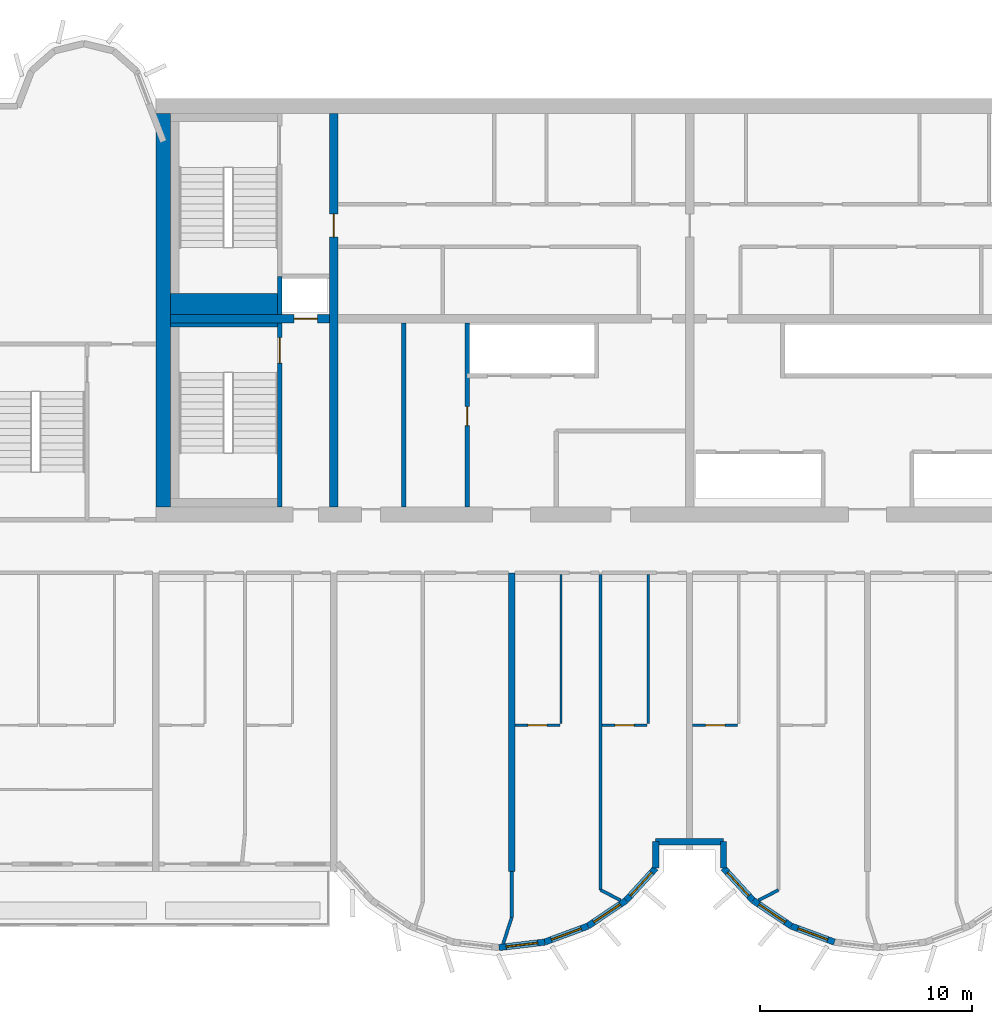
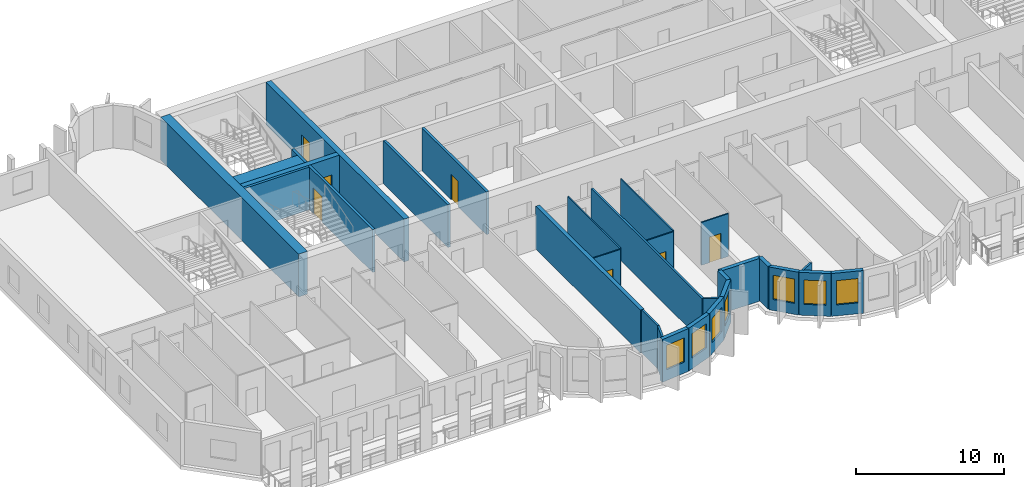
# One storey, part 4 of 13: 30 walls, 7 doors, 7 windows, 14 openings.
"""IFC4 building model written with IfcOpenShell, lengths in metres."""

from ifc_helpers import new_model, si_unit, direction, frame, frame_2d, origin, place, context, subcontext, project, spatial, rectangle, extrude, source, transform, mapped, material, layer, layer_set, type_object, element, fill, save


model = new_model("IFC4")

# Units and contexts
model_context = context("Model", 3, precision=1e-05, world=origin(), true_north=direction((0.0, 1.0)))
body_context = subcontext(model_context, "Body", "Model", "MODEL_VIEW")
ifc_project = project(units=[si_unit("LENGTHUNIT", "METRE"), si_unit("AREAUNIT", "SQUARE_METRE"), si_unit("VOLUMEUNIT", "CUBIC_METRE"), si_unit("PLANEANGLEUNIT", "RADIAN"), si_unit("MASSUNIT", "GRAM", prefix="KILO")], contexts=[model_context])

# Site, building, storey
site_placement = place(None, origin())
site = spatial("IfcSite", under=ifc_project, at=site_placement, CompositionType="ELEMENT")
building_placement = place(site_placement, origin())
building = spatial("IfcBuilding", under=site, at=building_placement, Name="Vanashikhar Sky Hotel", CompositionType="ELEMENT")
storey_placement = place(building_placement, frame((0.0, 0.0, 166.800048828125)))
storey = spatial("IfcBuildingStorey", under=building, at=storey_placement, Name="L40", CompositionType="ELEMENT", Elevation=166.800048828125)

# Wall, opening, door
ifc_material_1 = material(Name="Concrete M60", Category="concrete")
ifc_layer_1 = layer(ifc_material_1, 0.39990234375)
ifc_layer_set_1 = layer_set([ifc_layer_1], Name="RC core inner wall 400 Concrete M60")
wall_type_1 = type_object("IfcWallType", Name="RC core inner wall 400 Concrete M60", PredefinedType="SHEAR", material=ifc_layer_set_1)
shared_shape_1 = source(origin(), body_context, "Body", "SweptSolid", [
    extrude(rectangle(XDim=18.60009765625, YDim=0.39990234375, at=frame_2d((9.300048828125, 0.0))), origin(), (0.0, 0.0, 1.0), 3.52001953125),
])
wall_1_placement = place(storey_placement, frame((33.60009765625, 22.699951171875, 0.0), z_axis=(0.0, 0.0, 1.0), x_axis=(0.0, 1.0, 0.0)))
wall_1 = element("IfcWall", 1, at=wall_1_placement, inside=storey, type_object=wall_type_1, Name="KW-L40-KX1", PredefinedType="SHEAR", context=body_context, shape_type="MappedRepresentation", body=[
    mapped(shared_shape_1, transform((0.0, 0.0, 0.0), scale=1.0)),
])
shared_shape_2 = source(origin(), body_context, "Body", "SweptSolid", [
    extrude(rectangle(XDim=1.10009765625, YDim=2.10009765625, at=frame_2d((0.550048828125, 1.050048828125))), frame((0.0, 0.2099609375, 0.0), z_axis=(0.0, -1.0, 0.0), x_axis=(1.0, 0.0, 0.0)), (0.0, 0.0, 1.0), 0.419921875),
])
opening_1_placement = place(wall_1_placement, frame((12.75, 0.0, 0.0)))
opening_1 = element("IfcOpeningElement", 2, at=opening_1_placement, cuts=wall_1, Name="Opening DC-4-C", PredefinedType="OPENING", context=body_context, shape_type="MappedRepresentation", body=[
    mapped(shared_shape_2, transform((0.0, 0.0, 0.0), scale=1.0)),
])
ifc_material_2 = material(Name="Steel", Category="steel")
door_type_1 = type_object("IfcDoorType", Name="Service door 1100 FD60", OperationType="NOTDEFINED", PredefinedType="DOOR", material=ifc_material_2)
shared_shape_3 = source(origin(), body_context, "Body", "SweptSolid", [
    extrude(rectangle(XDim=1.10009765625, YDim=2.10009765625, at=frame_2d((0.550048828125, 1.050048828125))), frame((0.0, 0.02490234375, 0.0), z_axis=(0.0, -1.0, 0.0), x_axis=(1.0, 0.0, 0.0)), (0.0, 0.0, 1.0), 0.050048828125),
])
door_1_placement = place(opening_1_placement, origin())
door_1 = element("IfcDoor", 3, at=door_1_placement, inside=storey, type_object=door_type_1, Name="Service door 1100 FD60", OperationType="SINGLE_SWING_RIGHT", OverallHeight=2.10009765625, OverallWidth=1.10009765625, PredefinedType="DOOR", context=body_context, shape_type="MappedRepresentation", body=[
    mapped(shared_shape_3, transform((0.0, 0.0, 0.0), scale=1.0)),
])
fill(opening_1, door_1)

# Wall
ifc_layer_2 = layer(ifc_material_1, 0.699951171875)
ifc_layer_set_2 = layer_set([ifc_layer_2], Name="RC core shell wall 700 Concrete M60")
wall_type_2 = type_object("IfcWallType", Name="RC core shell wall 700 Concrete M60", PredefinedType="SHEAR", material=ifc_layer_set_2)
shared_shape_4 = source(origin(), body_context, "Body", "SweptSolid", [
    extrude(rectangle(XDim=18.60009765625, YDim=0.699951171875, at=frame_2d((9.300048828125, 0.0))), origin(), (0.0, 0.0, 1.0), 3.52001953125),
])
wall_2_placement = place(storey_placement, frame((25.550048828125, 22.699951171875, 0.0), z_axis=(0.0, 0.0, 1.0), x_axis=(0.0, 1.0, 0.0)))
element("IfcWall", 4, at=wall_2_placement, inside=storey, type_object=wall_type_2, Name="KW-L40-KW", PredefinedType="SHEAR", context=body_context, shape_type="MappedRepresentation", body=[
    mapped(shared_shape_4, transform((0.0, 0.0, 0.0), scale=1.0)),
])

# Wall, opening, door
shared_shape_5 = source(origin(), body_context, "Body", "SweptSolid", [
    extrude(rectangle(XDim=7.5, YDim=0.39990234375, at=frame_2d((3.75, 0.0))), origin(), (0.0, 0.0, 1.0), 3.52001953125),
])
wall_3_placement = place(storey_placement, frame((25.89990234375, 31.60009765625, 0.0), z_axis=(0.0, 0.0, 1.0), x_axis=(1.0, 0.0, 0.0)))
wall_3 = element("IfcWall", 5, at=wall_3_placement, inside=storey, type_object=wall_type_1, Name="KW-L40-KY1", PredefinedType="SHEAR", context=body_context, shape_type="MappedRepresentation", body=[
    mapped(shared_shape_5, transform((0.0, 0.0, 0.0), scale=1.0)),
])
opening_2_placement = place(wall_3_placement, frame((5.824951171875, 0.0, 0.0)))
opening_2 = element("IfcOpeningElement", 6, at=opening_2_placement, cuts=wall_3, Name="Opening LD", PredefinedType="OPENING", context=body_context, shape_type="MappedRepresentation", body=[
    mapped(shared_shape_2, transform((0.0, 0.0, 0.0), scale=1.0)),
])
ifc_material_3 = material(Name="Stainless steel", Category="steel")
door_type_2 = type_object("IfcDoorType", Name="Lift landing door 1100", OperationType="NOTDEFINED", PredefinedType="DOOR", material=ifc_material_3)
door_2_placement = place(opening_2_placement, origin())
door_2 = element("IfcDoor", 7, at=door_2_placement, inside=storey, type_object=door_type_2, Name="Lift landing door 1100", OperationType="SLIDING_TO_LEFT", OverallHeight=2.10009765625, OverallWidth=1.10009765625, PredefinedType="DOOR", context=body_context, shape_type="MappedRepresentation", body=[
    mapped(shared_shape_3, transform((0.0, 0.0, 0.0), scale=1.0)),
])
fill(opening_2, door_2)

# Wall
ifc_layer_3 = layer(ifc_material_1, 0.300048828125)
ifc_layer_set_3 = layer_set([ifc_layer_3], Name="RC shear wall 300 Concrete M60")
wall_type_3 = type_object("IfcWallType", Name="RC shear wall 300 Concrete M60", PredefinedType="SHEAR", material=ifc_layer_set_3)
shared_shape_6 = source(origin(), body_context, "Body", "SweptSolid", [
    extrude(rectangle(XDim=14.10009765625, YDim=0.300048828125, at=frame_2d((7.050048828125, 0.0))), origin(), (0.0, 0.0, 1.0), 3.52001953125),
])
wall_4_placement = place(storey_placement, frame((42.0, 5.5, 0.0), z_axis=(0.0, 0.0, 1.0), x_axis=(0.0, 1.0, 0.0)))
element("IfcWall", 8, at=wall_4_placement, inside=storey, type_object=wall_type_3, Name="CW-L40-XW06-1", PredefinedType="SHEAR", context=body_context, shape_type="MappedRepresentation", body=[
    mapped(shared_shape_6, transform((0.0, 0.0, 0.0), scale=1.0)),
])

# Wall, opening, window
ifc_material_4 = material(Name="Concrete M50", Category="concrete")
ifc_layer_4 = layer(ifc_material_4, 0.300048828125)
ifc_layer_set_4 = layer_set([ifc_layer_4], Name="Lobe wall 300")
wall_type_4 = type_object("IfcWallType", Name="Lobe wall 300", PredefinedType="SOLIDWALL", material=ifc_layer_set_4)
shared_shape_7 = source(origin(), body_context, "Body", "SweptSolid", [
    extrude(rectangle(XDim=2.17578125, YDim=0.300048828125, at=frame_2d((1.087890625, 0.0))), origin(), (0.0, 0.0, 1.0), 3.52001953125),
])
wall_5_placement = place(storey_placement, frame((45.59912109375, 2.91650390625, 0.0), z_axis=(0.0, 0.0, 1.0), x_axis=(0.829625727223, 0.558319937607, 0.0)))
wall_5 = element("IfcWall", 9, at=wall_5_placement, inside=storey, type_object=wall_type_4, Name="Lobe wall", PredefinedType="SOLIDWALL", context=body_context, shape_type="MappedRepresentation", body=[
    mapped(shared_shape_7, transform((0.0, 0.0, 0.0), scale=1.0)),
])
shared_shape_8 = source(origin(), body_context, "Body", "SweptSolid", [
    extrude(rectangle(XDim=1.5, YDim=2.0, at=frame_2d((0.75, 1.0))), frame((0.0, 0.16015625, 0.0), z_axis=(0.0, -1.0, 0.0), x_axis=(1.0, 0.0, 0.0)), (0.0, 0.0, 1.0), 0.320068359375),
])
opening_3_placement = place(wall_5_placement, frame((0.337890625, 0.0, 0.89990234375)))
opening_3 = element("IfcOpeningElement", 10, at=opening_3_placement, cuts=wall_5, Name="Opening WN-2", PredefinedType="OPENING", context=body_context, shape_type="MappedRepresentation", body=[
    mapped(shared_shape_8, transform((0.0, 0.0, 0.0), scale=1.0)),
])
ifc_material_5 = material(Name="Glass", Category="glass")
window_type = type_object("IfcWindowType", Name="Lobe window 1500 x 2000", PartitioningType="SINGLE_PANEL", PredefinedType="WINDOW", material=ifc_material_5)
shared_shape_9 = source(origin(), body_context, "Body", "SweptSolid", [
    extrude(rectangle(XDim=1.5, YDim=2.0, at=frame_2d((0.75, 1.0))), frame((0.0, 0.030029296875, 0.0), z_axis=(0.0, -1.0, 0.0), x_axis=(1.0, 0.0, 0.0)), (0.0, 0.0, 1.0), 0.06005859375),
])
window_1_placement = place(opening_3_placement, origin())
window_1 = element("IfcWindow", 11, at=window_1_placement, inside=storey, type_object=window_type, Name="Window WN-2", OverallHeight=2.0, OverallWidth=1.5, PartitioningType="SINGLE_PANEL", PredefinedType="WINDOW", context=body_context, shape_type="MappedRepresentation", body=[
    mapped(shared_shape_9, transform((0.0, 0.0, 0.0), scale=1.0)),
])
fill(opening_3, window_1)

wall_6_placement = place(storey_placement, frame((53.395751953125, 4.13134765625, 0.0), z_axis=(0.0, 0.0, 1.0), x_axis=(0.829590746428, -0.558371913192, 0.0)))
wall_6 = element("IfcWall", 12, at=wall_6_placement, inside=storey, type_object=wall_type_4, Name="Lobe wall", PredefinedType="SOLIDWALL", context=body_context, shape_type="MappedRepresentation", body=[
    mapped(shared_shape_7, transform((0.0, 0.0, 0.0), scale=1.0)),
])
opening_4_placement = place(wall_6_placement, frame((0.337890625, 0.0, 0.89990234375)))
opening_4 = element("IfcOpeningElement", 13, at=opening_4_placement, cuts=wall_6, Name="Opening WN-2", PredefinedType="OPENING", context=body_context, shape_type="MappedRepresentation", body=[
    mapped(shared_shape_8, transform((0.0, 0.0, 0.0), scale=1.0)),
])
window_2_placement = place(opening_4_placement, origin())
window_2 = element("IfcWindow", 14, at=window_2_placement, inside=storey, type_object=window_type, Name="Window WN-2", OverallHeight=2.0, OverallWidth=1.5, PartitioningType="SINGLE_PANEL", PredefinedType="WINDOW", context=body_context, shape_type="MappedRepresentation", body=[
    mapped(shared_shape_9, transform((0.0, 0.0, 0.0), scale=1.0)),
])
fill(opening_4, window_2)

wall_7_placement = place(storey_placement, frame((55.20068359375, 2.91650390625, 0.0), z_axis=(0.0, 0.0, 1.0), x_axis=(0.93754555999, -0.347862505801, 0.0)))
wall_7 = element("IfcWall", 15, at=wall_7_placement, inside=storey, type_object=wall_type_4, Name="Lobe wall", PredefinedType="SOLIDWALL", context=body_context, shape_type="MappedRepresentation", body=[
    mapped(shared_shape_7, transform((0.0, 0.0, 0.0), scale=1.0)),
])
opening_5_placement = place(wall_7_placement, frame((0.337890625, 0.0, 0.89990234375)))
opening_5 = element("IfcOpeningElement", 16, at=opening_5_placement, cuts=wall_7, Name="Opening WN-2", PredefinedType="OPENING", context=body_context, shape_type="MappedRepresentation", body=[
    mapped(shared_shape_8, transform((0.0, 0.0, 0.0), scale=1.0)),
])
window_3_placement = place(opening_5_placement, origin())
window_3 = element("IfcWindow", 17, at=window_3_placement, inside=storey, type_object=window_type, Name="Window WN-2", OverallHeight=2.0, OverallWidth=1.5, PartitioningType="SINGLE_PANEL", PredefinedType="WINDOW", context=body_context, shape_type="MappedRepresentation", body=[
    mapped(shared_shape_9, transform((0.0, 0.0, 0.0), scale=1.0)),
])
fill(opening_5, window_3)

shared_shape_10 = source(origin(), body_context, "Body", "SweptSolid", [
    extrude(rectangle(XDim=2.1748046875, YDim=0.300048828125, at=frame_2d((1.08740234375, 0.0))), origin(), (0.0, 0.0, 1.0), 3.52001953125),
])
wall_8_placement = place(storey_placement, frame((41.39990234375, 1.90283203125, 0.0), z_axis=(0.0, 0.0, 1.0), x_axis=(0.993002698611, 0.118091661648, 0.0)))
wall_8 = element("IfcWall", 18, at=wall_8_placement, inside=storey, type_object=wall_type_4, Name="Lobe wall", PredefinedType="SOLIDWALL", context=body_context, shape_type="MappedRepresentation", body=[
    mapped(shared_shape_10, transform((0.0, 0.0, 0.0), scale=1.0)),
])
opening_6_placement = place(wall_8_placement, frame((0.33740234375, 0.0, 0.89990234375)))
opening_6 = element("IfcOpeningElement", 19, at=opening_6_placement, cuts=wall_8, Name="Opening WN-2", PredefinedType="OPENING", context=body_context, shape_type="MappedRepresentation", body=[
    mapped(shared_shape_8, transform((0.0, 0.0, 0.0), scale=1.0)),
])
window_4_placement = place(opening_6_placement, origin())
window_4 = element("IfcWindow", 20, at=window_4_placement, inside=storey, type_object=window_type, Name="Window WN-2", OverallHeight=2.0, OverallWidth=1.5, PartitioningType="SINGLE_PANEL", PredefinedType="WINDOW", context=body_context, shape_type="MappedRepresentation", body=[
    mapped(shared_shape_9, transform((0.0, 0.0, 0.0), scale=1.0)),
])
fill(opening_6, window_4)

shared_shape_11 = source(origin(), body_context, "Body", "SweptSolid", [
    extrude(rectangle(XDim=2.175537109375, YDim=0.300048828125, at=frame_2d((1.087890625, 0.0))), origin(), (0.0, 0.0, 1.0), 3.52001953125),
])
wall_9_placement = place(storey_placement, frame((43.5595703125, 2.15966796875, 0.0), z_axis=(0.0, 0.0, 1.0), x_axis=(0.937531979054, 0.347899106424, 0.0)))
wall_9 = element("IfcWall", 21, at=wall_9_placement, inside=storey, type_object=wall_type_4, Name="Lobe wall", PredefinedType="SOLIDWALL", context=body_context, shape_type="MappedRepresentation", body=[
    mapped(shared_shape_11, transform((0.0, 0.0, 0.0), scale=1.0)),
])
opening_7_placement = place(wall_9_placement, frame((0.337890625, 0.0, 0.89990234375)))
opening_7 = element("IfcOpeningElement", 22, at=opening_7_placement, cuts=wall_9, Name="Opening WN-2", PredefinedType="OPENING", context=body_context, shape_type="MappedRepresentation", body=[
    mapped(shared_shape_8, transform((0.0, 0.0, 0.0), scale=1.0)),
])
window_5_placement = place(opening_7_placement, origin())
window_5 = element("IfcWindow", 23, at=window_5_placement, inside=storey, type_object=window_type, Name="Window WN-2", OverallHeight=2.0, OverallWidth=1.5, PartitioningType="SINGLE_PANEL", PredefinedType="WINDOW", context=body_context, shape_type="MappedRepresentation", body=[
    mapped(shared_shape_9, transform((0.0, 0.0, 0.0), scale=1.0)),
])
fill(opening_7, window_5)

shared_shape_12 = source(origin(), body_context, "Body", "SweptSolid", [
    extrude(rectangle(XDim=2.066650390625, YDim=0.300048828125, at=frame_2d((1.033203125, 0.0))), origin(), (0.0, 0.0, 1.0), 3.52001953125),
])
wall_10_placement = place(storey_placement, frame((47.404296875, 4.13134765625, 0.0), z_axis=(0.0, 0.0, 1.0), x_axis=(0.675355439877, 0.737492393065, 0.0)))
wall_10 = element("IfcWall", 24, at=wall_10_placement, inside=storey, type_object=wall_type_4, Name="Lobe wall", PredefinedType="SOLIDWALL", context=body_context, shape_type="MappedRepresentation", body=[
    mapped(shared_shape_12, transform((0.0, 0.0, 0.0), scale=1.0)),
])
opening_8_placement = place(wall_10_placement, frame((0.283447265625, 0.0, 0.89990234375)))
opening_8 = element("IfcOpeningElement", 25, at=opening_8_placement, cuts=wall_10, Name="Opening WN-2", PredefinedType="OPENING", context=body_context, shape_type="MappedRepresentation", body=[
    mapped(shared_shape_8, transform((0.0, 0.0, 0.0), scale=1.0)),
])
window_6_placement = place(opening_8_placement, origin())
window_6 = element("IfcWindow", 26, at=window_6_placement, inside=storey, type_object=window_type, Name="Window WN-2", OverallHeight=2.0, OverallWidth=1.5, PartitioningType="SINGLE_PANEL", PredefinedType="WINDOW", context=body_context, shape_type="MappedRepresentation", body=[
    mapped(shared_shape_9, transform((0.0, 0.0, 0.0), scale=1.0)),
])
fill(opening_8, window_6)

wall_11_placement = place(storey_placement, frame((52.0, 5.655517578125, 0.0), z_axis=(0.0, 0.0, 1.0), x_axis=(0.675355439877, -0.737492393065, 0.0)))
wall_11 = element("IfcWall", 27, at=wall_11_placement, inside=storey, type_object=wall_type_4, Name="Lobe wall", PredefinedType="SOLIDWALL", context=body_context, shape_type="MappedRepresentation", body=[
    mapped(shared_shape_12, transform((0.0, 0.0, 0.0), scale=1.0)),
])
opening_9_placement = place(wall_11_placement, frame((0.283447265625, 0.0, 0.89990234375)))
opening_9 = element("IfcOpeningElement", 28, at=opening_9_placement, cuts=wall_11, Name="Opening WN-2", PredefinedType="OPENING", context=body_context, shape_type="MappedRepresentation", body=[
    mapped(shared_shape_8, transform((0.0, 0.0, 0.0), scale=1.0)),
])
window_7_placement = place(opening_9_placement, origin())
window_7 = element("IfcWindow", 29, at=window_7_placement, inside=storey, type_object=window_type, Name="Window WN-2", OverallHeight=2.0, OverallWidth=1.5, PartitioningType="SINGLE_PANEL", PredefinedType="WINDOW", context=body_context, shape_type="MappedRepresentation", body=[
    mapped(shared_shape_9, transform((0.0, 0.0, 0.0), scale=1.0)),
])
fill(opening_9, window_7)

# Walls
shared_shape_13 = source(origin(), body_context, "Body", "SweptSolid", [
    extrude(rectangle(XDim=1.244384765625, YDim=0.300048828125, at=frame_2d((0.6220703125, 0.0))), origin(), (0.0, 0.0, 1.0), 3.52001953125),
])
for number, where, z_axis, x_axis, name in (
    (30, (48.800048828125, 5.655517578125, 0.0), (0.0, 0.0, 1.0), (0.0, 1.0, 0.0), "Groove wall"),
    (31, (52.0, 6.89990234375, 0.0), (0.0, 0.0, 1.0), (0.0, -1.0, 0.0), "Groove wall"),
):
    element("IfcWall", number, at=place(storey_placement, frame(where, z_axis=z_axis, x_axis=x_axis)), inside=storey, type_object=wall_type_4, Name=name, PredefinedType="SOLIDWALL", context=body_context, shape_type="MappedRepresentation", body=[
        mapped(shared_shape_13, transform((0.0, 0.0, 0.0), scale=1.0)),
    ])
shared_shape_14 = source(origin(), body_context, "Body", "SweptSolid", [
    extrude(rectangle(XDim=3.199951171875, YDim=0.300048828125, at=frame_2d((1.60009765625, 0.0))), origin(), (0.0, 0.0, 1.0), 3.52001953125),
])
wall_12_placement = place(storey_placement, frame((48.800048828125, 6.89990234375, 0.0), z_axis=(0.0, 0.0, 1.0), x_axis=(1.0, 0.0, 0.0)))
element("IfcWall", 32, at=wall_12_placement, inside=storey, type_object=wall_type_4, Name="Groove wall", PredefinedType="SOLIDWALL", context=body_context, shape_type="MappedRepresentation", body=[
    mapped(shared_shape_14, transform((0.0, 0.0, 0.0), scale=1.0)),
])

# Wall, opening, door
ifc_material_6 = material(Name="Gypsum board partition")
ifc_layer_5 = layer(ifc_material_6, 0.14990234375)
ifc_layer_set_5 = layer_set([ifc_layer_5], Name="Service partition 150")
wall_type_5 = type_object("IfcWallType", Name="Service partition 150", PredefinedType="PARTITIONING", material=ifc_layer_set_5)
shared_shape_15 = source(origin(), body_context, "Body", "SweptSolid", [
    extrude(rectangle(XDim=8.699951171875, YDim=0.199951171875, at=frame_2d((4.35009765625, 0.0))), origin(), (0.0, 0.0, 1.0), 3.52001953125),
])
wall_13_placement = place(storey_placement, frame((39.89990234375, 22.699951171875, 0.0), z_axis=(0.0, 0.0, 1.0), x_axis=(0.0, 1.0, 0.0)))
wall_13 = element("IfcWall", 33, at=wall_13_placement, inside=storey, type_object=wall_type_5, Name="Service partition 150", PredefinedType="PARTITIONING", context=body_context, shape_type="MappedRepresentation", body=[
    mapped(shared_shape_15, transform((0.0, 0.0, 0.0), scale=1.0)),
])
shared_shape_16 = source(origin(), body_context, "Body", "SweptSolid", [
    extrude(rectangle(XDim=0.89990234375, YDim=2.10009765625, at=frame_2d((0.449951171875, 1.050048828125))), frame((0.0, 0.10986328125, 0.0), z_axis=(0.0, -1.0, 0.0), x_axis=(1.0, 0.0, 0.0)), (0.0, 0.0, 1.0), 0.219970703125),
])
opening_10_placement = place(wall_13_placement, frame((3.85009765625, 0.0, 0.0)))
opening_10 = element("IfcOpeningElement", 34, at=opening_10_placement, cuts=wall_13, Name="Opening DC-4-A", PredefinedType="OPENING", context=body_context, shape_type="MappedRepresentation", body=[
    mapped(shared_shape_16, transform((0.0, 0.0, 0.0), scale=1.0)),
])
door_type_3 = type_object("IfcDoorType", Name="Service door 900 FD60", OperationType="NOTDEFINED", PredefinedType="DOOR", material=ifc_material_2)
shared_shape_17 = source(origin(), body_context, "Body", "SweptSolid", [
    extrude(rectangle(XDim=0.89990234375, YDim=2.10009765625, at=frame_2d((0.449951171875, 1.050048828125))), frame((0.0, 0.02490234375, 0.0), z_axis=(0.0, -1.0, 0.0), x_axis=(1.0, 0.0, 0.0)), (0.0, 0.0, 1.0), 0.050048828125),
])
door_3_placement = place(opening_10_placement, origin())
door_3 = element("IfcDoor", 35, at=door_3_placement, inside=storey, type_object=door_type_3, Name="Service door 900 FD60", OperationType="SINGLE_SWING_LEFT", OverallHeight=2.10009765625, OverallWidth=0.89990234375, PredefinedType="DOOR", context=body_context, shape_type="MappedRepresentation", body=[
    mapped(shared_shape_17, transform((0.0, 0.0, 0.0), scale=1.0)),
])
fill(opening_10, door_3)

# Wall
wall_14_placement = place(storey_placement, frame((36.89990234375, 22.699951171875, 0.0), z_axis=(0.0, 0.0, 1.0), x_axis=(0.0, 1.0, 0.0)))
element("IfcWall", 36, at=wall_14_placement, inside=storey, type_object=wall_type_5, Name="Service partition 150", PredefinedType="PARTITIONING", context=body_context, shape_type="MappedRepresentation", body=[
    mapped(shared_shape_15, transform((0.0, 0.0, 0.0), scale=1.0)),
])

# Wall, opening, door
ifc_layer_6 = layer(ifc_material_4, 0.199951171875)
ifc_layer_set_6 = layer_set([ifc_layer_6], Name="Stair wall 200")
wall_type_6 = type_object("IfcWallType", Name="Stair wall 200", PredefinedType="SOLIDWALL", material=ifc_layer_set_6)
shared_shape_18 = source(origin(), body_context, "Body", "SweptSolid", [
    extrude(rectangle(XDim=8.699951171875, YDim=0.199951171875, at=frame_2d((4.35009765625, 0.0))), origin(), (0.0, 0.0, 1.0), 3.52001953125),
])
wall_15_placement = place(storey_placement, frame((31.050048828125, 22.699951171875, 0.0), z_axis=(0.0, 0.0, 1.0), x_axis=(0.0, 1.0, 0.0)))
wall_15 = element("IfcWall", 37, at=wall_15_placement, inside=storey, type_object=wall_type_6, Name="Stair wall 200", PredefinedType="SOLIDWALL", context=body_context, shape_type="MappedRepresentation", body=[
    mapped(shared_shape_18, transform((0.0, 0.0, 0.0), scale=1.0)),
])
shared_shape_19 = source(origin(), body_context, "Body", "SweptSolid", [
    extrude(rectangle(XDim=1.199951171875, YDim=2.10009765625, at=frame_2d((0.60009765625, 1.050048828125))), frame((0.0, 0.10986328125, 0.0), z_axis=(0.0, -1.0, 0.0), x_axis=(1.0, 0.0, 0.0)), (0.0, 0.0, 1.0), 0.219970703125),
])
opening_11_placement = place(wall_15_placement, frame((6.800048828125, 0.0, 0.0)))
opening_11 = element("IfcOpeningElement", 38, at=opening_11_placement, cuts=wall_15, Name="Opening DC-1", PredefinedType="OPENING", context=body_context, shape_type="MappedRepresentation", body=[
    mapped(shared_shape_19, transform((0.0, 0.0, 0.0), scale=1.0)),
])
door_type_4 = type_object("IfcDoorType", Name="Stair door 1200 FD120", OperationType="NOTDEFINED", PredefinedType="DOOR", material=ifc_material_2)
shared_shape_20 = source(origin(), body_context, "Body", "SweptSolid", [
    extrude(rectangle(XDim=1.199951171875, YDim=2.10009765625, at=frame_2d((0.60009765625, 1.050048828125))), frame((0.0, 0.02490234375, 0.0), z_axis=(0.0, -1.0, 0.0), x_axis=(1.0, 0.0, 0.0)), (0.0, 0.0, 1.0), 0.050048828125),
])
door_4_placement = place(opening_11_placement, origin())
door_4 = element("IfcDoor", 39, at=door_4_placement, inside=storey, type_object=door_type_4, Name="Stair door 1200 FD120", OperationType="SINGLE_SWING_RIGHT", OverallHeight=2.10009765625, OverallWidth=1.199951171875, PredefinedType="DOOR", context=body_context, shape_type="MappedRepresentation", body=[
    mapped(shared_shape_20, transform((0.0, 0.0, 0.0), scale=1.0)),
])
fill(opening_11, door_4)

# Walls
ifc_material_7 = material(Name="Concrete M40", Category="concrete")
ifc_layer_7 = layer(ifc_material_7, 0.199951171875)
ifc_layer_set_7 = layer_set([ifc_layer_7], Name="Shaft wall 200")
wall_type_7 = type_object("IfcWallType", Name="Shaft wall 200", PredefinedType="SOLIDWALL", material=ifc_layer_set_7)
shared_shape_21 = source(origin(), body_context, "Body", "SweptSolid", [
    extrude(rectangle(XDim=1.800048828125, YDim=0.199951171875, at=frame_2d((0.89990234375, 0.0))), origin(), (0.0, 0.0, 1.0), 3.52001953125),
])
wall_16_placement = place(storey_placement, frame((31.050048828125, 31.800048828125, 0.0), z_axis=(0.0, 0.0, 1.0), x_axis=(0.0, 1.0, 0.0)))
element("IfcWall", 40, at=wall_16_placement, inside=storey, type_object=wall_type_7, Name="Shaft wall 200", PredefinedType="SOLIDWALL", context=body_context, shape_type="MappedRepresentation", body=[
    mapped(shared_shape_21, transform((0.0, 0.0, 0.0), scale=1.0)),
])
ifc_layer_8 = layer(ifc_material_4, 0.199951171875)
ifc_layer_set_8 = layer_set([ifc_layer_8], Name="Stair infill wall 200")
wall_type_8 = type_object("IfcWallType", Name="Stair infill wall 200", PredefinedType="SOLIDWALL", material=ifc_layer_set_8)
shared_shape_22 = source(origin(), body_context, "Body", "SweptSolid", [
    extrude(rectangle(XDim=5.050048828125, YDim=0.199951171875, at=frame_2d((2.52490234375, 0.0))), origin(), (0.0, 0.0, 1.0), 3.52001953125),
])
wall_17_placement = place(storey_placement, frame((25.89990234375, 31.300048828125, 0.0), z_axis=(0.0, 0.0, 1.0), x_axis=(1.0, 0.0, 0.0)))
element("IfcWall", 41, at=wall_17_placement, inside=storey, type_object=wall_type_8, Name="Stair infill wall 200", PredefinedType="SOLIDWALL", context=body_context, shape_type="MappedRepresentation", body=[
    mapped(shared_shape_22, transform((0.0, 0.0, 0.0), scale=1.0)),
])
ifc_layer_9 = layer(ifc_material_4, 1.0)
ifc_layer_set_9 = layer_set([ifc_layer_9], Name="Stair infill wall 1000")
wall_type_9 = type_object("IfcWallType", Name="Stair infill wall 1000", PredefinedType="SOLIDWALL", material=ifc_layer_set_9)
shared_shape_23 = source(origin(), body_context, "Body", "SweptSolid", [
    extrude(rectangle(XDim=5.050048828125, YDim=1.0, at=frame_2d((2.52490234375, 0.0))), origin(), (0.0, 0.0, 1.0), 3.52001953125),
])
wall_18_placement = place(storey_placement, frame((25.89990234375, 32.300048828125, 0.0), z_axis=(0.0, 0.0, 1.0), x_axis=(1.0, 0.0, 0.0)))
element("IfcWall", 42, at=wall_18_placement, inside=storey, type_object=wall_type_9, Name="Stair infill wall 1000", PredefinedType="SOLIDWALL", context=body_context, shape_type="MappedRepresentation", body=[
    mapped(shared_shape_23, transform((0.0, 0.0, 0.0), scale=1.0)),
])
ifc_material_8 = material(Name="Gypsum plasterboard partition")
ifc_layer_10 = layer(ifc_material_8, 0.10009765625)
ifc_layer_set_10 = layer_set([ifc_layer_10], Name="Wet room partition 100")
wall_type_10 = type_object("IfcWallType", Name="Wet room partition 100", PredefinedType="PARTITIONING", material=ifc_layer_set_10)
shared_shape_24 = source(origin(), body_context, "Body", "SweptSolid", [
    extrude(rectangle(XDim=7.0498046875, YDim=0.10009765625, at=frame_2d((3.52490234375, 0.0))), origin(), (0.0, 0.0, 1.0), 3.52001953125),
])
for number, where, z_axis, x_axis, name in (
    (43, (44.324951171875, 12.47509765625, 0.0), (0.0, 0.0, 1.0), (0.0, 1.0, 0.0), "W-L40-PW024"),
    (44, (48.449951171875, 12.47509765625, 0.0), (0.0, 0.0, 1.0), (0.0, 1.0, 0.0), "W-L40-PW027"),
):
    element("IfcWall", number, at=place(storey_placement, frame(where, z_axis=z_axis, x_axis=x_axis)), inside=storey, type_object=wall_type_10, Name=name, PredefinedType="PARTITIONING", context=body_context, shape_type="MappedRepresentation", body=[
        mapped(shared_shape_24, transform((0.0, 0.0, 0.0), scale=1.0)),
    ])
ifc_layer_11 = layer(ifc_material_8, 0.14990234375)
ifc_layer_set_11 = layer_set([ifc_layer_11], Name="Corridor and demising partition 150")
wall_type_11 = type_object("IfcWallType", Name="Corridor and demising partition 150", PredefinedType="PARTITIONING", material=ifc_layer_set_11)
shared_shape_25 = source(origin(), body_context, "Body", "SweptSolid", [
    extrude(rectangle(XDim=2.177978515625, YDim=0.14990234375, at=frame_2d((1.0888671875, 0.0))), origin(), (0.0, 0.0, 1.0), 3.52001953125),
])
wall_19_placement = place(storey_placement, frame((42.0, 3.322021484375, 0.0), z_axis=(0.0, 0.0, 1.0), x_axis=(0.0, 1.0, 0.0)))
element("IfcWall", 45, at=wall_19_placement, inside=storey, type_object=wall_type_11, Name="W-L40-PW057", PredefinedType="PARTITIONING", context=body_context, shape_type="MappedRepresentation", body=[
    mapped(shared_shape_25, transform((0.0, 0.0, 0.0), scale=1.0)),
])
shared_shape_26 = source(origin(), body_context, "Body", "SweptSolid", [
    extrude(rectangle(XDim=1.0576171875, YDim=0.14990234375, at=frame_2d((0.52880859375, 0.0))), origin(), (0.0, 0.0, 1.0), 3.52001953125),
])
wall_20_placement = place(storey_placement, frame((47.139892578125, 4.134033203125, 0.0), z_axis=(0.0, 0.0, 1.0), x_axis=(-0.888723819054, 0.458442988218, 0.0)))
element("IfcWall", 46, at=wall_20_placement, inside=storey, type_object=wall_type_11, Name="W-L40-PW030B0", PredefinedType="PARTITIONING", context=body_context, shape_type="MappedRepresentation", body=[
    mapped(shared_shape_26, transform((0.0, 0.0, 0.0), scale=1.0)),
])
shared_shape_27 = source(origin(), body_context, "Body", "SweptSolid", [
    extrude(rectangle(XDim=1.057861328125, YDim=0.14990234375, at=frame_2d((0.52880859375, 0.0))), origin(), (0.0, 0.0, 1.0), 3.52001953125),
])
wall_21_placement = place(storey_placement, frame((53.659912109375, 4.134033203125, 0.0), z_axis=(0.0, 0.0, 1.0), x_axis=(0.888772319209, 0.458348955063, 0.0)))
element("IfcWall", 47, at=wall_21_placement, inside=storey, type_object=wall_type_11, Name="W-L40-PW037B0", PredefinedType="PARTITIONING", context=body_context, shape_type="MappedRepresentation", body=[
    mapped(shared_shape_27, transform((0.0, 0.0, 0.0), scale=1.0)),
])
shared_shape_28 = source(origin(), body_context, "Body", "SweptSolid", [
    extrude(rectangle(XDim=1.308349609375, YDim=0.14990234375, at=frame_2d((0.654296875, 0.0))), origin(), (0.0, 0.0, 1.0), 3.52001953125),
])
wall_22_placement = place(storey_placement, frame((41.597900390625, 2.076904296875, 0.0), z_axis=(0.0, 0.0, 1.0), x_axis=(0.307313512187, 0.951608325535, 0.0)))
element("IfcWall", 48, at=wall_22_placement, inside=storey, type_object=wall_type_11, Name="W-L40-PW057B0", PredefinedType="PARTITIONING", context=body_context, shape_type="MappedRepresentation", body=[
    mapped(shared_shape_28, transform((0.0, 0.0, 0.0), scale=1.0)),
])
shared_shape_29 = source(origin(), body_context, "Body", "SweptSolid", [
    extrude(rectangle(XDim=14.906005859375, YDim=0.14990234375, at=frame_2d((7.453125, 0.0))), origin(), (0.0, 0.0, 1.0), 3.52001953125),
])
wall_23_placement = place(storey_placement, frame((46.199951171875, 4.618896484375, 0.0), z_axis=(0.0, 0.0, 1.0), x_axis=(0.0, 1.0, 0.0)))
element("IfcWall", 49, at=wall_23_placement, inside=storey, type_object=wall_type_11, Name="W-L40-PW030", PredefinedType="PARTITIONING", context=body_context, shape_type="MappedRepresentation", body=[
    mapped(shared_shape_29, transform((0.0, 0.0, 0.0), scale=1.0)),
])

# Wall, opening, door
shared_shape_30 = source(origin(), body_context, "Body", "SweptSolid", [
    extrude(rectangle(XDim=2.125, YDim=0.10009765625, at=frame_2d((1.0625, 0.0))), origin(), (0.0, 0.0, 1.0), 3.52001953125),
])
wall_24_placement = place(storey_placement, frame((42.14990234375, 12.39990234375, 0.0), z_axis=(0.0, 0.0, 1.0), x_axis=(1.0, 0.0, 0.0)))
wall_24 = element("IfcWall", 50, at=wall_24_placement, inside=storey, type_object=wall_type_10, Name="W-L40-PW025", PredefinedType="PARTITIONING", context=body_context, shape_type="MappedRepresentation", body=[
    mapped(shared_shape_30, transform((0.0, 0.0, 0.0), scale=1.0)),
])
shared_shape_31 = source(origin(), body_context, "Body", "SweptSolid", [
    extrude(rectangle(XDim=0.89990234375, YDim=2.10009765625, at=frame_2d((0.449951171875, 1.050048828125))), frame((0.0, 0.06005859375, 0.0), z_axis=(0.0, -1.0, 0.0), x_axis=(1.0, 0.0, 0.0)), (0.0, 0.0, 1.0), 0.1201171875),
])
opening_12_placement = place(wall_24_placement, frame((0.613037109375, 0.0, 0.0)))
opening_12 = element("IfcOpeningElement", 51, at=opening_12_placement, cuts=wall_24, Name="Opening D-02", PredefinedType="OPENING", context=body_context, shape_type="MappedRepresentation", body=[
    mapped(shared_shape_31, transform((0.0, 0.0, 0.0), scale=1.0)),
])
ifc_material_9 = material(Name="Timber door", Category="wood")
door_type_5 = type_object("IfcDoorType", Name="Internal door 900", OperationType="NOTDEFINED", PredefinedType="DOOR", material=ifc_material_9)
door_5_placement = place(opening_12_placement, origin())
door_5 = element("IfcDoor", 52, at=door_5_placement, inside=storey, type_object=door_type_5, Name="D-L40-015", OperationType="SINGLE_SWING_RIGHT", OverallHeight=2.10009765625, OverallWidth=0.89990234375, PredefinedType="DOOR", context=body_context, shape_type="MappedRepresentation", body=[
    mapped(shared_shape_17, transform((0.0, 0.0, 0.0), scale=1.0)),
])
fill(opening_12, door_5)

wall_25_placement = place(storey_placement, frame((46.27490234375, 12.39990234375, 0.0), z_axis=(0.0, 0.0, 1.0), x_axis=(1.0, 0.0, 0.0)))
wall_25 = element("IfcWall", 53, at=wall_25_placement, inside=storey, type_object=wall_type_10, Name="W-L40-PW028", PredefinedType="PARTITIONING", context=body_context, shape_type="MappedRepresentation", body=[
    mapped(shared_shape_30, transform((0.0, 0.0, 0.0), scale=1.0)),
])
opening_13_placement = place(wall_25_placement, frame((0.613037109375, 0.0, 0.0)))
opening_13 = element("IfcOpeningElement", 54, at=opening_13_placement, cuts=wall_25, Name="Opening D-02", PredefinedType="OPENING", context=body_context, shape_type="MappedRepresentation", body=[
    mapped(shared_shape_31, transform((0.0, 0.0, 0.0), scale=1.0)),
])
door_6_placement = place(opening_13_placement, origin())
door_6 = element("IfcDoor", 55, at=door_6_placement, inside=storey, type_object=door_type_5, Name="D-L40-017", OperationType="SINGLE_SWING_RIGHT", OverallHeight=2.10009765625, OverallWidth=0.89990234375, PredefinedType="DOOR", context=body_context, shape_type="MappedRepresentation", body=[
    mapped(shared_shape_17, transform((0.0, 0.0, 0.0), scale=1.0)),
])
fill(opening_13, door_6)

wall_26_placement = place(storey_placement, frame((50.550048828125, 12.39990234375, 0.0), z_axis=(0.0, 0.0, 1.0), x_axis=(1.0, 0.0, 0.0)))
wall_26 = element("IfcWall", 56, at=wall_26_placement, inside=storey, type_object=wall_type_10, Name="W-L40-PW032", PredefinedType="PARTITIONING", context=body_context, shape_type="MappedRepresentation", body=[
    mapped(shared_shape_30, transform((0.0, 0.0, 0.0), scale=1.0)),
])
opening_14_placement = place(wall_26_placement, frame((0.612060546875, 0.0, 0.0)))
opening_14 = element("IfcOpeningElement", 57, at=opening_14_placement, cuts=wall_26, Name="Opening D-02", PredefinedType="OPENING", context=body_context, shape_type="MappedRepresentation", body=[
    mapped(shared_shape_31, transform((0.0, 0.0, 0.0), scale=1.0)),
])
door_7_placement = place(opening_14_placement, origin())
door_7 = element("IfcDoor", 58, at=door_7_placement, inside=storey, type_object=door_type_5, Name="D-L40-019", OperationType="SINGLE_SWING_RIGHT", OverallHeight=2.10009765625, OverallWidth=0.89990234375, PredefinedType="DOOR", context=body_context, shape_type="MappedRepresentation", body=[
    mapped(shared_shape_17, transform((0.0, 0.0, 0.0), scale=1.0)),
])
fill(opening_14, door_7)

save(model, "model.ifc")
